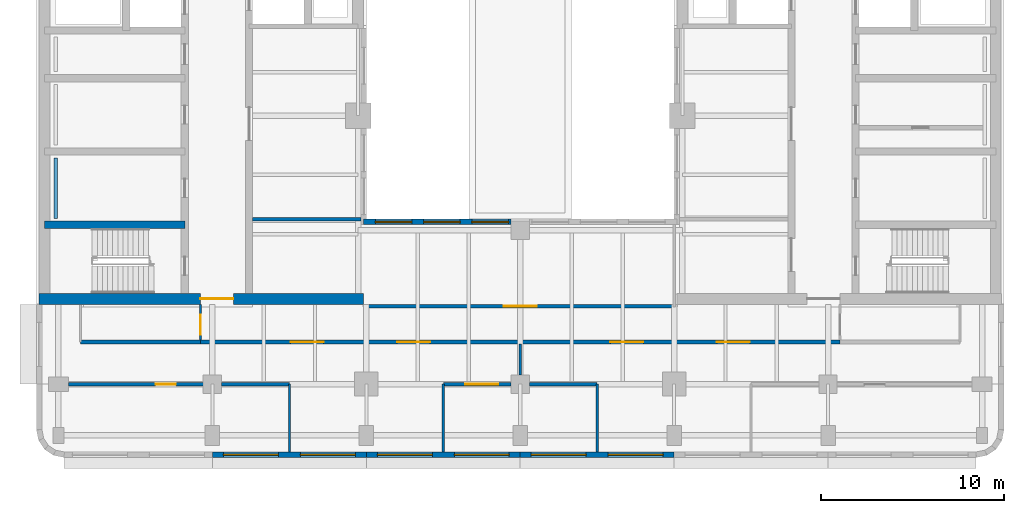
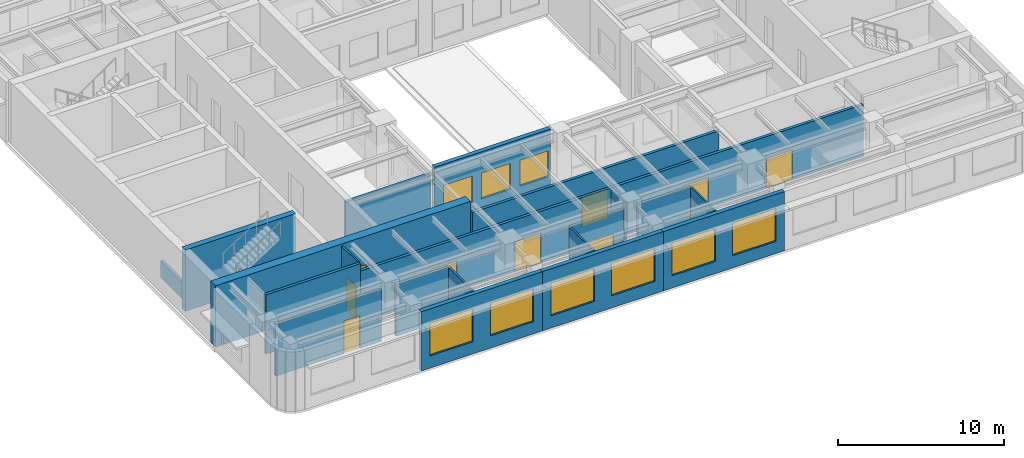
# One storey, part 3 of 11: 20 walls, 9 doors, 9 windows, 18 openings.
"""IFC4 building model written with IfcOpenShell, lengths in metres."""

import ifcopenshell
import ifcopenshell.guid

model = None  # the IFC model being written
_history = None  # IfcOwnerHistory: only IFC2X3 demands one
_inside = {}  # id of a spatial element -> (the spatial element, [elements in it])
_under = {}  # id of a project, library or spatial element -> (it, [spatial elements below it])
_declared = {}  # id of a project -> (the project, [libraries it declares])
_typed = {}  # id of a type object -> (the type object, [elements of that type])
_made_of = {}  # id of a material, layer set ... -> (it, [elements and type objects made of it])


def new_model(schema):
    """Start an empty IFC model of exactly this schema.

    Asked for "IFC4X3", IfcOpenShell would pick the latest addendum, in which some entities
    have other attributes; the version numbers below select the first issue.
    IFC2X3 requires an IfcOwnerHistory on every rooted entity: one is made here for all.
    """
    global model, _history
    if schema == "IFC4X3":
        model = ifcopenshell.file(schema_version=(4, 3, 0, 0))
    else:
        model = ifcopenshell.file(schema=schema)
    _inside.clear()
    _under.clear()
    _declared.clear()
    _typed.clear()
    _made_of.clear()
    _history = None
    if model.schema == "IFC2X3":
        org = make("IfcOrganization", Name="unknown")
        user = make(
            "IfcPersonAndOrganization",
            ThePerson=make("IfcPerson", FamilyName="unknown"),
            TheOrganization=org,
        )
        app = make(
            "IfcApplication",
            ApplicationDeveloper=org,
            Version="unknown",
            ApplicationFullName="unknown",
            ApplicationIdentifier="unknown",
        )
        _history = make(
            "IfcOwnerHistory",
            OwningUser=user,
            OwningApplication=app,
            ChangeAction="ADDED",
            CreationDate=0,
        )
    return model


def make(cls, **values):
    """One entity of the class cls with the attributes given. An attribute that is None is left unset."""
    return model.create_entity(
        cls, **{name: value for name, value in values.items() if value is not None}
    )


def rooted(cls, **values):
    """An entity with a GlobalId (a new one), such as an element, a storey or a relation."""
    return make(cls, GlobalId=ifcopenshell.guid.new(), OwnerHistory=_history, **values)


def si_unit(unit_type, name, prefix=None):
    """IfcSIUnit, for example si_unit("LENGTHUNIT", "METRE", prefix="MILLI")."""
    return make("IfcSIUnit", UnitType=unit_type, Prefix=prefix, Name=name)


def assignment(units):
    """IfcUnitAssignment: the units of a project."""
    return None if units is None else make("IfcUnitAssignment", Units=units)


def point(xyz):
    """IfcCartesianPoint."""
    return None if xyz is None else make("IfcCartesianPoint", Coordinates=xyz)


def direction(xyz):
    """IfcDirection."""
    return None if xyz is None else make("IfcDirection", DirectionRatios=xyz)


def frame(location, z_axis=None, x_axis=None):
    """IfcAxis2Placement3D, a coordinate frame: its origin and axes. An axis left out is left unset."""
    return make(
        "IfcAxis2Placement3D",
        Location=point(location),
        Axis=direction(z_axis),
        RefDirection=direction(x_axis),
    )


def frame_2d(location, x_axis=None):
    """IfcAxis2Placement2D, a coordinate frame in the plane: its origin and x axis."""
    return make(
        "IfcAxis2Placement2D", Location=point(location), RefDirection=direction(x_axis)
    )


def origin():
    """The frame at (0, 0, 0) with its axes left unset."""
    return frame((0.0, 0.0, 0.0))


def place(relative_to, where):
    """IfcLocalPlacement: puts the frame where relative to a parent placement (None: the world)."""
    return make(
        "IfcLocalPlacement", PlacementRelTo=relative_to, RelativePlacement=where
    )


def context(
    kind, dimensions, precision=None, world=None, true_north=None, identifier=None
):
    """IfcGeometricRepresentationContext, for example the 3D "Model" context."""
    return make(
        "IfcGeometricRepresentationContext",
        ContextIdentifier=identifier,
        ContextType=kind,
        CoordinateSpaceDimension=dimensions,
        Precision=precision,
        WorldCoordinateSystem=world,
        TrueNorth=true_north,
    )


def subcontext(parent, identifier, kind, view, scale=None):
    """IfcGeometricRepresentationSubContext, for example "Body" below "Model"."""
    return make(
        "IfcGeometricRepresentationSubContext",
        ContextIdentifier=identifier,
        ContextType=kind,
        ParentContext=parent,
        TargetScale=scale,
        TargetView=view,
    )


def project(units=None, contexts=None):
    """IfcProject with its units and contexts."""
    return rooted(
        "IfcProject",
        Name="project",
        RepresentationContexts=contexts,
        UnitsInContext=assignment(units),
    )


def spatial(cls, under=None, at=None, **own):
    """A site, building, storey or space (cls), placed at a placement, below another one or the project."""
    s = rooted(cls, ObjectPlacement=at, **own)
    if under is not None:
        _under.setdefault(under.id(), (under, []))[1].append(s)
    return s


def profile(cls, at=None, kind="AREA", **sizes):
    """A parametric profile (cls). Its sizes go by their IFC names, for example OverallWidth=200.0."""
    return make(cls, ProfileType=kind, Position=at, **sizes)


def rectangle(**sizes):
    """IfcRectangleProfileDef."""
    return profile("IfcRectangleProfileDef", **sizes)


def extrude(swept, where, along, depth):
    """IfcExtrudedAreaSolid: the profile swept, set in the frame where, extruded along a direction by depth."""
    return make(
        "IfcExtrudedAreaSolid",
        SweptArea=swept,
        Position=where,
        ExtrudedDirection=direction(along),
        Depth=depth,
    )


def shape(context_of_items, identifier, shape_type, items):
    """IfcShapeRepresentation: the items that make up one representation, for example the "Body"."""
    return make(
        "IfcShapeRepresentation",
        ContextOfItems=context_of_items,
        RepresentationIdentifier=identifier,
        RepresentationType=shape_type,
        Items=items,
    )


def material(Name=None, Category=None):
    """IfcMaterial."""
    return make("IfcMaterial", Name=Name, Category=Category)


def layer(
    of_material, thickness, ventilated=None, Name=None, Category=None, Priority=None
):
    """IfcMaterialLayer: one layer of a wall or slab, of a material (None: an air gap)."""
    return make(
        "IfcMaterialLayer",
        Material=of_material,
        LayerThickness=thickness,
        IsVentilated=ventilated,
        Name=Name,
        Category=Category,
        Priority=Priority,
    )


def layer_set(layers, Name=None):
    """IfcMaterialLayerSet."""
    return make("IfcMaterialLayerSet", MaterialLayers=layers, LayerSetName=Name)


def made_of(thing, what):
    """Note that an element or type object is made of a material, layer set ...; save() writes the relation."""
    if what is not None:
        _made_of.setdefault(what.id(), (what, []))[1].append(thing)
    return thing


def type_object(cls, material=None, **own):
    """A type object (cls), such as IfcWallType, which elements share."""
    return made_of(rooted(cls, **own), material)


def element(
    cls,
    number,
    at=None,
    inside=None,
    cuts=None,
    type_object=None,
    material=None,
    context=None,
    identifier="Body",
    shape_type=None,
    held_by="IfcProductDefinitionShape",
    body=None,
    shapes=None,
    **own,
):
    """One element of the class cls, such as IfcWall. Its Tag is "e" and its number.

    at: its placement. inside: the storey or other place that contains it. cuts: it is an
    opening in that element (IfcRelVoidsElement). A single representation is given by context,
    identifier, shape_type and body (its items); several are given by shapes. held_by: the class
    of the entity that holds the representations. save() writes the other relations.
    """
    e = rooted(cls, Tag="e%d" % number, ObjectPlacement=at, **own)
    if body is not None:
        shapes = [shape(context, identifier, shape_type, body)]
    if shapes is not None:
        e.Representation = make(held_by, Representations=shapes)
    if inside is not None:
        _inside.setdefault(inside.id(), (inside, []))[1].append(e)
    if cuts is not None:
        rooted(
            "IfcRelVoidsElement", RelatingBuildingElement=cuts, RelatedOpeningElement=e
        )
    if type_object is not None:
        _typed.setdefault(type_object.id(), (type_object, []))[1].append(e)
    return made_of(e, material)


def fill(opening, filler):
    """IfcRelFillsElement: the door or window that sits in an opening."""
    return rooted(
        "IfcRelFillsElement",
        RelatingOpeningElement=opening,
        RelatedBuildingElement=filler,
    )


def aggregate(whole, parts):
    """IfcRelAggregates: a whole, such as a stair, and the parts it consists of."""
    return rooted("IfcRelAggregates", RelatingObject=whole, RelatedObjects=parts)


def save(model, path):
    """Write the relations noted so far, then the file.

    IfcRelAggregates (storeys below a building ...), IfcRelContainedInSpatialStructure (elements
    in a storey), IfcRelDefinesByType, IfcRelAssociatesMaterial and IfcRelDeclares: one each for
    every whole, place, type object, material and project.
    """
    for whole, parts in _under.values():
        aggregate(whole, parts)
    for where, things in _inside.values():
        rooted(
            "IfcRelContainedInSpatialStructure",
            RelatedElements=things,
            RelatingStructure=where,
        )
    for kind, things in _typed.values():
        rooted("IfcRelDefinesByType", RelatedObjects=things, RelatingType=kind)
    for what, things in _made_of.values():
        rooted("IfcRelAssociatesMaterial", RelatedObjects=things, RelatingMaterial=what)
    for by, libraries in _declared.values():
        rooted("IfcRelDeclares", RelatingContext=by, RelatedDefinitions=libraries)
    model.write(path)


model = new_model("IFC4")

# Units and contexts
model_context = context("Model", 3, precision=1e-05, world=origin(), true_north=direction((0.0, 1.0)))
body_context = subcontext(model_context, "Body", "Model", "MODEL_VIEW")
ifc_project = project(units=[si_unit("LENGTHUNIT", "METRE"), si_unit("AREAUNIT", "SQUARE_METRE"), si_unit("VOLUMEUNIT", "CUBIC_METRE"), si_unit("PLANEANGLEUNIT", "RADIAN"), si_unit("MASSUNIT", "GRAM", prefix="KILO")], contexts=[model_context])

# Site, building, storey
site_placement = place(None, origin())
site = spatial("IfcSite", under=ifc_project, at=site_placement, CompositionType="ELEMENT")
building_placement = place(site_placement, origin())
building = spatial("IfcBuilding", under=site, at=building_placement, Name="Claustro Exchange Tower", CompositionType="ELEMENT")
storey_placement = place(building_placement, frame((0.0, 0.0, 254.699951171875)))
storey = spatial("IfcBuildingStorey", under=building, at=storey_placement, Name="L58", CompositionType="ELEMENT", Elevation=254.699951171875)

# Walls
ifc_material_1 = material(Name="Laminated glass in aluminium frame", Category="aluminium")
ifc_layer_1 = layer(ifc_material_1, 0.1201171875)
ifc_layer_set_1 = layer_set([ifc_layer_1], Name="Laminated glass in aluminium frame")
wall_type_1 = type_object("IfcWallType", Name="P2 120 glazed partition", PredefinedType="PARTITIONING", material=ifc_layer_set_1)
for number, where, z_axis, x_axis, name in (
    (1, (12.60009765625, 4.699951171875, 0.0), (0.0, 0.0, 1.0), (0.0, 1.0, 0.0), "Partition P2 L58"),
    (2, (21.0, 4.699951171875, 0.0), (0.0, 0.0, 1.0), (0.0, 1.0, 0.0), "Partition P2 L58"),
    (3, (29.39990234375, 4.699951171875, 0.0), (0.0, 0.0, 1.0), (0.0, 1.0, 0.0), "Partition P2 L58"),
):
    element("IfcWall", number, at=place(storey_placement, frame(where, z_axis=z_axis, x_axis=x_axis)), inside=storey, type_object=wall_type_1, Name=name, PredefinedType="PARTITIONING", context=body_context, shape_type="SweptSolid", body=[
        extrude(rectangle(XDim=3.699951171875, YDim=0.1201171875, at=frame_2d((1.85009765625, 0.0))), origin(), (0.0, 0.0, 1.0), 3.800048828125),
    ])
wall_1_placement = place(storey_placement, frame((25.199951171875, 8.89892578125, 0.0), z_axis=(0.0, 0.0, 1.0), x_axis=(0.0, 1.0, 0.0)))
element("IfcWall", 4, at=wall_1_placement, inside=storey, type_object=wall_type_1, Name="Partition P2 L58", PredefinedType="PARTITIONING", context=body_context, shape_type="SweptSolid", body=[
    extrude(rectangle(XDim=1.703125, YDim=0.1201171875, at=frame_2d((0.8515625, 0.0))), origin(), (0.0, 0.0, 1.0), 3.800048828125),
])

# Wall, opening, door
wall_2_placement = place(storey_placement, frame((7.75, 10.798095703125, 0.0), z_axis=(0.0, 0.0, 1.0), x_axis=(0.0, 1.0, 0.0)))
wall_2 = element("IfcWall", 5, at=wall_2_placement, inside=storey, type_object=wall_type_1, Name="Partition P2 L58", PredefinedType="PARTITIONING", context=body_context, shape_type="SweptSolid", body=[
    extrude(rectangle(XDim=1.953857421875, YDim=0.1201171875, at=frame_2d((0.97705078125, 0.0))), origin(), (0.0, 0.0, 1.0), 4.35009765625),
])
opening_1_placement = place(wall_2_placement, frame((0.302001953125, 0.0, 0.0)))
opening_1 = element("IfcOpeningElement", 6, at=opening_1_placement, cuts=wall_2, Name="Opening D8", PredefinedType="OPENING", context=body_context, shape_type="SweptSolid", body=[
    extrude(rectangle(XDim=1.10009765625, YDim=2.39990234375, at=frame_2d((0.550048828125, 1.199951171875))), frame((0.0, 0.070068359375, 0.0), z_axis=(0.0, -1.0, 0.0), x_axis=(1.0, 0.0, 0.0)), (0.0, 0.0, 1.0), 0.14013671875),
])
ifc_material_2 = material(Name="Timber door, walnut veneer", Category="wood")
door_type_1 = type_object("IfcDoorType", Name="D8 1100 x 2400 executive door", OperationType="SINGLE_SWING_LEFT", PredefinedType="DOOR", material=ifc_material_2)
door_1_placement = place(opening_1_placement, origin())
door_1 = element("IfcDoor", 7, at=door_1_placement, inside=storey, type_object=door_type_1, Name="Door D8 L58", OperationType="SINGLE_SWING_RIGHT", OverallHeight=2.39990234375, OverallWidth=1.10009765625, PredefinedType="DOOR", context=body_context, shape_type="SweptSolid", body=[
    extrude(rectangle(XDim=1.10009765625, YDim=2.39990234375, at=frame_2d((0.550048828125, 1.199951171875))), frame((0.0, 0.02490234375, 0.0), z_axis=(0.0, -1.0, 0.0), x_axis=(1.0, 0.0, 0.0)), (0.0, 0.0, 1.0), 0.050048828125),
])
fill(opening_1, door_1)

# Wall
ifc_material_3 = material(Name="Twin-skin gypsum board on steel studs, mineral wool", Category="steel")
ifc_layer_2 = layer(ifc_material_3, 0.199951171875)
ifc_layer_set_2 = layer_set([ifc_layer_2], Name="Twin-skin gypsum board on steel studs, mineral wool")
wall_type_2 = type_object("IfcWallType", Name="P3 200 acoustic partition", PredefinedType="PARTITIONING", material=ifc_layer_set_2)
wall_3_placement = place(storey_placement, frame((10.597900390625, 17.39990234375, 0.0), z_axis=(0.0, 0.0, 1.0), x_axis=(1.0, 0.0, 0.0)))
element("IfcWall", 8, at=wall_3_placement, inside=storey, type_object=wall_type_2, Name="Partition P3 L58", PredefinedType="PARTITIONING", context=body_context, shape_type="SweptSolid", body=[
    extrude(rectangle(XDim=5.904052734375, YDim=0.199951171875, at=frame_2d((2.9521484375, 0.0))), origin(), (0.0, 0.0, 1.0), 3.800048828125),
])

# Wall, opening, door
wall_4_placement = place(storey_placement, frame((0.549072265625, 8.39990234375, 0.0), z_axis=(0.0, 0.0, 1.0), x_axis=(1.0, 0.0, 0.0)))
wall_4 = element("IfcWall", 9, at=wall_4_placement, inside=storey, type_object=wall_type_2, Name="Partition P3 L58", PredefinedType="PARTITIONING", context=body_context, shape_type="SweptSolid", body=[
    extrude(rectangle(XDim=7.351806640625, YDim=0.199951171875, at=frame_2d((3.67578125, 0.0))), origin(), (0.0, 0.0, 1.0), 3.800048828125),
])
opening_2_placement = place(wall_4_placement, frame((4.7509765625, 0.0, 0.0)))
opening_2 = element("IfcOpeningElement", 10, at=opening_2_placement, cuts=wall_4, Name="Opening D8", PredefinedType="OPENING", context=body_context, shape_type="SweptSolid", body=[
    extrude(rectangle(XDim=1.10009765625, YDim=2.39990234375, at=frame_2d((0.550048828125, 1.199951171875))), frame((0.0, 0.10986328125, 0.0), z_axis=(0.0, -1.0, 0.0), x_axis=(1.0, 0.0, 0.0)), (0.0, 0.0, 1.0), 0.219970703125),
])
door_2_placement = place(opening_2_placement, frame((1.10009765625, 0.0, 0.0), z_axis=(0.0, 0.0, 1.0), x_axis=(-1.0, 0.0, 0.0)))
door_2 = element("IfcDoor", 11, at=door_2_placement, inside=storey, type_object=door_type_1, Name="Door D8 L58", OperationType="SINGLE_SWING_LEFT", OverallHeight=2.39990234375, OverallWidth=1.10009765625, PredefinedType="DOOR", context=body_context, shape_type="SweptSolid", body=[
    extrude(rectangle(XDim=1.10009765625, YDim=2.39990234375, at=frame_2d((0.550048828125, 1.199951171875))), frame((0.0, 0.02490234375, 0.0), z_axis=(0.0, -1.0, 0.0), x_axis=(1.0, 0.0, 0.0)), (0.0, 0.0, 1.0), 0.050048828125),
])
fill(opening_2, door_2)

# Wall
wall_5_placement = place(storey_placement, frame((8.89892578125, 8.39990234375, 0.0), z_axis=(0.0, 0.0, 1.0), x_axis=(1.0, 0.0, 0.0)))
element("IfcWall", 12, at=wall_5_placement, inside=storey, type_object=wall_type_2, Name="Partition P3 L58", PredefinedType="PARTITIONING", context=body_context, shape_type="SweptSolid", body=[
    extrude(rectangle(XDim=3.701171875, YDim=0.199951171875, at=frame_2d((1.8505859375, 0.0))), origin(), (0.0, 0.0, 1.0), 3.800048828125),
])

# Wall, opening, door
wall_6_placement = place(storey_placement, frame((21.0, 8.39990234375, 0.0), z_axis=(0.0, 0.0, 1.0), x_axis=(1.0, 0.0, 0.0)))
wall_6 = element("IfcWall", 13, at=wall_6_placement, inside=storey, type_object=wall_type_2, Name="Partition P3 L58", PredefinedType="PARTITIONING", context=body_context, shape_type="SweptSolid", body=[
    extrude(rectangle(XDim=3.700927734375, YDim=0.199951171875, at=frame_2d((1.8505859375, 0.0))), origin(), (0.0, 0.0, 1.0), 3.800048828125),
])
opening_3_placement = place(wall_6_placement, frame((1.199951171875, 0.0, 0.0)))
opening_3 = element("IfcOpeningElement", 14, at=opening_3_placement, cuts=wall_6, Name="Opening D2", PredefinedType="OPENING", context=body_context, shape_type="SweptSolid", body=[
    extrude(rectangle(XDim=1.800048828125, YDim=2.199951171875, at=frame_2d((0.89990234375, 1.10009765625))), frame((0.0, 0.10986328125, 0.0), z_axis=(0.0, -1.0, 0.0), x_axis=(1.0, 0.0, 0.0)), (0.0, 0.0, 1.0), 0.219970703125),
])
ifc_material_4 = material(Name="Timber door, oak veneer", Category="wood")
door_type_2 = type_object("IfcDoorType", Name="D2 1800 x 2200 double door", OperationType="DOUBLE_DOOR_SINGLE_SWING", PredefinedType="DOOR", material=ifc_material_4)
door_3_placement = place(opening_3_placement, frame((1.800048828125, 0.0, 0.0), z_axis=(0.0, 0.0, 1.0), x_axis=(-1.0, 0.0, 0.0)))
door_3 = element("IfcDoor", 15, at=door_3_placement, inside=storey, type_object=door_type_2, Name="Double door D2 L58", OperationType="DOUBLE_DOOR_SINGLE_SWING", OverallHeight=2.199951171875, OverallWidth=1.800048828125, PredefinedType="DOOR", context=body_context, shape_type="SweptSolid", body=[
    extrude(rectangle(XDim=1.800048828125, YDim=2.199951171875, at=frame_2d((0.89990234375, 1.10009765625))), frame((0.0, 0.02490234375, 0.0), z_axis=(0.0, -1.0, 0.0), x_axis=(1.0, 0.0, 0.0)), (0.0, 0.0, 1.0), 0.050048828125),
])
fill(opening_3, door_3)

# Wall
wall_7_placement = place(storey_placement, frame((25.698974609375, 8.39990234375, 0.0), z_axis=(0.0, 0.0, 1.0), x_axis=(1.0, 0.0, 0.0)))
element("IfcWall", 16, at=wall_7_placement, inside=storey, type_object=wall_type_2, Name="Partition P3 L58", PredefinedType="PARTITIONING", context=body_context, shape_type="SweptSolid", body=[
    extrude(rectangle(XDim=3.700927734375, YDim=0.199951171875, at=frame_2d((1.8505859375, 0.0))), origin(), (0.0, 0.0, 1.0), 3.800048828125),
])

# Wall, openings, doors
wall_8_placement = place(storey_placement, frame((7.748046875, 10.699951171875, 0.0), z_axis=(0.0, 0.0, 1.0), x_axis=(1.0, 0.0, 0.0)))
wall_8 = element("IfcWall", 17, at=wall_8_placement, inside=storey, type_object=wall_type_2, Name="Partition P3 L58", PredefinedType="PARTITIONING", context=body_context, shape_type="SweptSolid", body=[
    extrude(rectangle(XDim=34.904052734375, YDim=0.199951171875, at=frame_2d((17.4521484375, 0.0))), origin(), (0.0, 0.0, 1.0), 3.800048828125),
])
opening_4_placement = place(wall_8_placement, frame((4.918701171875, 0.0, 0.0)))
opening_4 = element("IfcOpeningElement", 18, at=opening_4_placement, cuts=wall_8, Name="Opening D2", PredefinedType="OPENING", context=body_context, shape_type="SweptSolid", body=[
    extrude(rectangle(XDim=1.800048828125, YDim=2.199951171875, at=frame_2d((0.89990234375, 1.10009765625))), frame((0.0, 0.10986328125, 0.0), z_axis=(0.0, -1.0, 0.0), x_axis=(1.0, 0.0, 0.0)), (0.0, 0.0, 1.0), 0.219970703125),
])
opening_5_placement = place(wall_8_placement, frame((10.7353515625, 0.0, 0.0)))
opening_5 = element("IfcOpeningElement", 19, at=opening_5_placement, cuts=wall_8, Name="Opening D2", PredefinedType="OPENING", context=body_context, shape_type="SweptSolid", body=[
    extrude(rectangle(XDim=1.800048828125, YDim=2.199951171875, at=frame_2d((0.89990234375, 1.10009765625))), frame((0.0, 0.10986328125, 0.0), z_axis=(0.0, -1.0, 0.0), x_axis=(1.0, 0.0, 0.0)), (0.0, 0.0, 1.0), 0.219970703125),
])
opening_6_placement = place(wall_8_placement, frame((22.36865234375, 0.0, 0.0)))
opening_6 = element("IfcOpeningElement", 20, at=opening_6_placement, cuts=wall_8, Name="Opening D2", PredefinedType="OPENING", context=body_context, shape_type="SweptSolid", body=[
    extrude(rectangle(XDim=1.800048828125, YDim=2.199951171875, at=frame_2d((0.89990234375, 1.10009765625))), frame((0.0, 0.10986328125, 0.0), z_axis=(0.0, -1.0, 0.0), x_axis=(1.0, 0.0, 0.0)), (0.0, 0.0, 1.0), 0.219970703125),
])
opening_7_placement = place(wall_8_placement, frame((28.185302734375, 0.0, 0.0)))
opening_7 = element("IfcOpeningElement", 21, at=opening_7_placement, cuts=wall_8, Name="Opening D2", PredefinedType="OPENING", context=body_context, shape_type="SweptSolid", body=[
    extrude(rectangle(XDim=1.800048828125, YDim=2.199951171875, at=frame_2d((0.89990234375, 1.10009765625))), frame((0.0, 0.10986328125, 0.0), z_axis=(0.0, -1.0, 0.0), x_axis=(1.0, 0.0, 0.0)), (0.0, 0.0, 1.0), 0.219970703125),
])
door_4_placement = place(opening_4_placement, origin())
door_4 = element("IfcDoor", 22, at=door_4_placement, inside=storey, type_object=door_type_2, Name="Double door D2 L58", OperationType="DOUBLE_DOOR_SINGLE_SWING", OverallHeight=2.199951171875, OverallWidth=1.800048828125, PredefinedType="DOOR", context=body_context, shape_type="SweptSolid", body=[
    extrude(rectangle(XDim=1.800048828125, YDim=2.199951171875, at=frame_2d((0.89990234375, 1.10009765625))), frame((0.0, 0.02490234375, 0.0), z_axis=(0.0, -1.0, 0.0), x_axis=(1.0, 0.0, 0.0)), (0.0, 0.0, 1.0), 0.050048828125),
])
fill(opening_4, door_4)
door_5_placement = place(opening_5_placement, origin())
door_5 = element("IfcDoor", 23, at=door_5_placement, inside=storey, type_object=door_type_2, Name="Double door D2 L58", OperationType="DOUBLE_DOOR_SINGLE_SWING", OverallHeight=2.199951171875, OverallWidth=1.800048828125, PredefinedType="DOOR", context=body_context, shape_type="SweptSolid", body=[
    extrude(rectangle(XDim=1.800048828125, YDim=2.199951171875, at=frame_2d((0.89990234375, 1.10009765625))), frame((0.0, 0.02490234375, 0.0), z_axis=(0.0, -1.0, 0.0), x_axis=(1.0, 0.0, 0.0)), (0.0, 0.0, 1.0), 0.050048828125),
])
fill(opening_5, door_5)
door_6_placement = place(opening_6_placement, frame((1.800048828125, 0.0, 0.0), z_axis=(0.0, 0.0, 1.0), x_axis=(-1.0, 0.0, 0.0)))
door_6 = element("IfcDoor", 24, at=door_6_placement, inside=storey, type_object=door_type_2, Name="Double door D2 L58", OperationType="DOUBLE_DOOR_SINGLE_SWING", OverallHeight=2.199951171875, OverallWidth=1.800048828125, PredefinedType="DOOR", context=body_context, shape_type="SweptSolid", body=[
    extrude(rectangle(XDim=1.800048828125, YDim=2.199951171875, at=frame_2d((0.89990234375, 1.10009765625))), frame((0.0, 0.02490234375, 0.0), z_axis=(0.0, -1.0, 0.0), x_axis=(1.0, 0.0, 0.0)), (0.0, 0.0, 1.0), 0.050048828125),
])
fill(opening_6, door_6)
door_7_placement = place(opening_7_placement, frame((1.800048828125, 0.0, 0.0), z_axis=(0.0, 0.0, 1.0), x_axis=(-1.0, 0.0, 0.0)))
door_7 = element("IfcDoor", 25, at=door_7_placement, inside=storey, type_object=door_type_2, Name="Double door D2 L58", OperationType="DOUBLE_DOOR_SINGLE_SWING", OverallHeight=2.199951171875, OverallWidth=1.800048828125, PredefinedType="DOOR", context=body_context, shape_type="SweptSolid", body=[
    extrude(rectangle(XDim=1.800048828125, YDim=2.199951171875, at=frame_2d((0.89990234375, 1.10009765625))), frame((0.0, 0.02490234375, 0.0), z_axis=(0.0, -1.0, 0.0), x_axis=(1.0, 0.0, 0.0)), (0.0, 0.0, 1.0), 0.050048828125),
])
fill(opening_7, door_7)

# Wall
wall_9_placement = place(storey_placement, frame((1.199951171875, 10.699951171875, 0.0), z_axis=(0.0, 0.0, 1.0), x_axis=(1.0, 0.0, 0.0)))
element("IfcWall", 26, at=wall_9_placement, inside=storey, type_object=wall_type_2, Name="Partition P3 L58", PredefinedType="PARTITIONING", context=body_context, shape_type="SweptSolid", body=[
    extrude(rectangle(XDim=6.552001953125, YDim=0.199951171875, at=frame_2d((3.27587890625, 0.0))), origin(), (0.0, 0.0, 1.0), 4.35009765625),
])

# Wall, opening, door
wall_10_placement = place(storey_placement, frame((16.64990234375, 12.64990234375, 0.0), z_axis=(0.0, 0.0, 1.0), x_axis=(1.0, 0.0, 0.0)))
wall_10 = element("IfcWall", 27, at=wall_10_placement, inside=storey, type_object=wall_type_2, Name="Partition P3 L58", PredefinedType="PARTITIONING", context=body_context, shape_type="SweptSolid", body=[
    extrude(rectangle(XDim=17.10009765625, YDim=0.199951171875, at=frame_2d((8.550048828125, 0.0))), origin(), (0.0, 0.0, 1.0), 3.800048828125),
])
opening_8_placement = place(wall_10_placement, frame((7.650146484375, 0.0, 0.0)))
opening_8 = element("IfcOpeningElement", 28, at=opening_8_placement, cuts=wall_10, Name="Opening D2", PredefinedType="OPENING", context=body_context, shape_type="SweptSolid", body=[
    extrude(rectangle(XDim=1.800048828125, YDim=2.199951171875, at=frame_2d((0.89990234375, 1.10009765625))), frame((0.0, 0.10986328125, 0.0), z_axis=(0.0, -1.0, 0.0), x_axis=(1.0, 0.0, 0.0)), (0.0, 0.0, 1.0), 0.219970703125),
])
door_8_placement = place(opening_8_placement, frame((1.800048828125, 0.0, 0.0), z_axis=(0.0, 0.0, 1.0), x_axis=(-1.0, 0.0, 0.0)))
door_8 = element("IfcDoor", 29, at=door_8_placement, inside=storey, type_object=door_type_2, Name="Double door D2 L58", OperationType="DOUBLE_DOOR_SINGLE_SWING", OverallHeight=2.199951171875, OverallWidth=1.800048828125, PredefinedType="DOOR", context=body_context, shape_type="SweptSolid", body=[
    extrude(rectangle(XDim=1.800048828125, YDim=2.199951171875, at=frame_2d((0.89990234375, 1.10009765625))), frame((0.0, 0.02490234375, 0.0), z_axis=(0.0, -1.0, 0.0), x_axis=(1.0, 0.0, 0.0)), (0.0, 0.0, 1.0), 0.050048828125),
])
fill(opening_8, door_8)

# Wall, openings, windows
ifc_material_5 = material(Name="Concrete HA-40 (C40/50), precast, white cement, acid-etched", Category="concrete")
ifc_layer_3 = layer(ifc_material_5, 0.300048828125)
ifc_layer_set_3 = layer_set([ifc_layer_3], Name="Concrete HA-40 (C40/50), precast, white cement, acid-etched")
wall_type_3 = type_object("IfcWallType", Name="PC1 300 precast concrete pier panel", PredefinedType="SOLIDWALL", material=ifc_layer_set_3)
wall_11_placement = place(storey_placement, frame((33.60009765625, 4.550048828125, 0.0), z_axis=(0.0, 0.0, 1.0), x_axis=(-1.0, 0.0, 0.0)))
wall_11 = element("IfcWall", 30, at=wall_11_placement, inside=storey, type_object=wall_type_3, Name="Precast pier panel PC1 L58", PredefinedType="SOLIDWALL", context=body_context, shape_type="SweptSolid", body=[
    extrude(rectangle(XDim=8.400146484375, YDim=0.300048828125, at=frame_2d((4.2001953125, 0.0))), origin(), (0.0, 0.0, 1.0), 4.35009765625),
])
opening_9_placement = place(wall_11_placement, frame((0.60009765625, 0.0, 0.89990234375)))
opening_9 = element("IfcOpeningElement", 31, at=opening_9_placement, cuts=wall_11, Name="Opening W3", PredefinedType="OPENING", context=body_context, shape_type="SweptSolid", body=[
    extrude(rectangle(XDim=3.0, YDim=2.39990234375, at=frame_2d((1.5, 1.199951171875))), frame((0.0, 0.159912109375, 0.0), z_axis=(0.0, -1.0, 0.0), x_axis=(1.0, 0.0, 0.0)), (0.0, 0.0, 1.0), 0.320068359375),
])
opening_10_placement = place(wall_11_placement, frame((4.800048828125, 0.0, 0.89990234375)))
opening_10 = element("IfcOpeningElement", 32, at=opening_10_placement, cuts=wall_11, Name="Opening W3", PredefinedType="OPENING", context=body_context, shape_type="SweptSolid", body=[
    extrude(rectangle(XDim=3.0, YDim=2.39990234375, at=frame_2d((1.5, 1.199951171875))), frame((0.0, 0.159912109375, 0.0), z_axis=(0.0, -1.0, 0.0), x_axis=(1.0, 0.0, 0.0)), (0.0, 0.0, 1.0), 0.320068359375),
])
ifc_material_6 = material(Name="Aluminium frame, clear double glazing", Category="aluminium")
window_type_1 = type_object("IfcWindowType", Name="W3 3000 x 2400 window", PartitioningType="SINGLE_PANEL", PredefinedType="WINDOW", material=ifc_material_6)
window_1_placement = place(opening_9_placement, origin())
window_1 = element("IfcWindow", 33, at=window_1_placement, inside=storey, type_object=window_type_1, Name="Window W3 L58", OverallHeight=2.39990234375, OverallWidth=3.0, PartitioningType="SINGLE_PANEL", PredefinedType="WINDOW", context=body_context, shape_type="SweptSolid", body=[
    extrude(rectangle(XDim=3.0, YDim=2.39990234375, at=frame_2d((1.5, 1.199951171875))), frame((0.0, 0.030029296875, 0.0), z_axis=(0.0, -1.0, 0.0), x_axis=(1.0, 0.0, 0.0)), (0.0, 0.0, 1.0), 0.06005859375),
])
fill(opening_9, window_1)
window_2_placement = place(opening_10_placement, origin())
window_2 = element("IfcWindow", 34, at=window_2_placement, inside=storey, type_object=window_type_1, Name="Window W3 L58", OverallHeight=2.39990234375, OverallWidth=3.0, PartitioningType="SINGLE_PANEL", PredefinedType="WINDOW", context=body_context, shape_type="SweptSolid", body=[
    extrude(rectangle(XDim=3.0, YDim=2.39990234375, at=frame_2d((1.5, 1.199951171875))), frame((0.0, 0.030029296875, 0.0), z_axis=(0.0, -1.0, 0.0), x_axis=(1.0, 0.0, 0.0)), (0.0, 0.0, 1.0), 0.06005859375),
])
fill(opening_10, window_2)

wall_12_placement = place(storey_placement, frame((25.199951171875, 4.550048828125, 0.0), z_axis=(0.0, 0.0, 1.0), x_axis=(-1.0, 0.0, 0.0)))
wall_12 = element("IfcWall", 35, at=wall_12_placement, inside=storey, type_object=wall_type_3, Name="Precast pier panel PC1 L58", PredefinedType="SOLIDWALL", context=body_context, shape_type="SweptSolid", body=[
    extrude(rectangle(XDim=8.39990234375, YDim=0.300048828125, at=frame_2d((4.199951171875, 0.0))), origin(), (0.0, 0.0, 1.0), 4.35009765625),
])
opening_11_placement = place(wall_12_placement, frame((0.60009765625, 0.0, 0.89990234375)))
opening_11 = element("IfcOpeningElement", 36, at=opening_11_placement, cuts=wall_12, Name="Opening W3", PredefinedType="OPENING", context=body_context, shape_type="SweptSolid", body=[
    extrude(rectangle(XDim=3.0, YDim=2.39990234375, at=frame_2d((1.5, 1.199951171875))), frame((0.0, 0.159912109375, 0.0), z_axis=(0.0, -1.0, 0.0), x_axis=(1.0, 0.0, 0.0)), (0.0, 0.0, 1.0), 0.320068359375),
])
opening_12_placement = place(wall_12_placement, frame((4.800048828125, 0.0, 0.89990234375)))
opening_12 = element("IfcOpeningElement", 37, at=opening_12_placement, cuts=wall_12, Name="Opening W3", PredefinedType="OPENING", context=body_context, shape_type="SweptSolid", body=[
    extrude(rectangle(XDim=3.0, YDim=2.39990234375, at=frame_2d((1.5, 1.199951171875))), frame((0.0, 0.159912109375, 0.0), z_axis=(0.0, -1.0, 0.0), x_axis=(1.0, 0.0, 0.0)), (0.0, 0.0, 1.0), 0.320068359375),
])
window_3_placement = place(opening_11_placement, origin())
window_3 = element("IfcWindow", 38, at=window_3_placement, inside=storey, type_object=window_type_1, Name="Window W3 L58", OverallHeight=2.39990234375, OverallWidth=3.0, PartitioningType="SINGLE_PANEL", PredefinedType="WINDOW", context=body_context, shape_type="SweptSolid", body=[
    extrude(rectangle(XDim=3.0, YDim=2.39990234375, at=frame_2d((1.5, 1.199951171875))), frame((0.0, 0.030029296875, 0.0), z_axis=(0.0, -1.0, 0.0), x_axis=(1.0, 0.0, 0.0)), (0.0, 0.0, 1.0), 0.06005859375),
])
fill(opening_11, window_3)
window_4_placement = place(opening_12_placement, origin())
window_4 = element("IfcWindow", 39, at=window_4_placement, inside=storey, type_object=window_type_1, Name="Window W3 L58", OverallHeight=2.39990234375, OverallWidth=3.0, PartitioningType="SINGLE_PANEL", PredefinedType="WINDOW", context=body_context, shape_type="SweptSolid", body=[
    extrude(rectangle(XDim=3.0, YDim=2.39990234375, at=frame_2d((1.5, 1.199951171875))), frame((0.0, 0.030029296875, 0.0), z_axis=(0.0, -1.0, 0.0), x_axis=(1.0, 0.0, 0.0)), (0.0, 0.0, 1.0), 0.06005859375),
])
fill(opening_12, window_4)

wall_13_placement = place(storey_placement, frame((16.800048828125, 4.550048828125, 0.0), z_axis=(0.0, 0.0, 1.0), x_axis=(-1.0, 0.0, 0.0)))
wall_13 = element("IfcWall", 40, at=wall_13_placement, inside=storey, type_object=wall_type_3, Name="Precast pier panel PC1 L58", PredefinedType="SOLIDWALL", context=body_context, shape_type="SweptSolid", body=[
    extrude(rectangle(XDim=8.400146484375, YDim=0.300048828125, at=frame_2d((4.2001953125, 0.0))), origin(), (0.0, 0.0, 1.0), 4.35009765625),
])
opening_13_placement = place(wall_13_placement, frame((0.60009765625, 0.0, 0.89990234375)))
opening_13 = element("IfcOpeningElement", 41, at=opening_13_placement, cuts=wall_13, Name="Opening W3", PredefinedType="OPENING", context=body_context, shape_type="SweptSolid", body=[
    extrude(rectangle(XDim=3.0, YDim=2.39990234375, at=frame_2d((1.5, 1.199951171875))), frame((0.0, 0.159912109375, 0.0), z_axis=(0.0, -1.0, 0.0), x_axis=(1.0, 0.0, 0.0)), (0.0, 0.0, 1.0), 0.320068359375),
])
opening_14_placement = place(wall_13_placement, frame((4.800048828125, 0.0, 0.89990234375)))
opening_14 = element("IfcOpeningElement", 42, at=opening_14_placement, cuts=wall_13, Name="Opening W3", PredefinedType="OPENING", context=body_context, shape_type="SweptSolid", body=[
    extrude(rectangle(XDim=3.0, YDim=2.39990234375, at=frame_2d((1.5, 1.199951171875))), frame((0.0, 0.159912109375, 0.0), z_axis=(0.0, -1.0, 0.0), x_axis=(1.0, 0.0, 0.0)), (0.0, 0.0, 1.0), 0.320068359375),
])
window_5_placement = place(opening_13_placement, origin())
window_5 = element("IfcWindow", 43, at=window_5_placement, inside=storey, type_object=window_type_1, Name="Window W3 L58", OverallHeight=2.39990234375, OverallWidth=3.0, PartitioningType="SINGLE_PANEL", PredefinedType="WINDOW", context=body_context, shape_type="SweptSolid", body=[
    extrude(rectangle(XDim=3.0, YDim=2.39990234375, at=frame_2d((1.5, 1.199951171875))), frame((0.0, 0.030029296875, 0.0), z_axis=(0.0, -1.0, 0.0), x_axis=(1.0, 0.0, 0.0)), (0.0, 0.0, 1.0), 0.06005859375),
])
fill(opening_13, window_5)
window_6_placement = place(opening_14_placement, origin())
window_6 = element("IfcWindow", 44, at=window_6_placement, inside=storey, type_object=window_type_1, Name="Window W3 L58", OverallHeight=2.39990234375, OverallWidth=3.0, PartitioningType="SINGLE_PANEL", PredefinedType="WINDOW", context=body_context, shape_type="SweptSolid", body=[
    extrude(rectangle(XDim=3.0, YDim=2.39990234375, at=frame_2d((1.5, 1.199951171875))), frame((0.0, 0.030029296875, 0.0), z_axis=(0.0, -1.0, 0.0), x_axis=(1.0, 0.0, 0.0)), (0.0, 0.0, 1.0), 0.06005859375),
])
fill(opening_14, window_6)

wall_14_placement = place(storey_placement, frame((16.64990234375, 17.25, 0.0), z_axis=(0.0, 0.0, 1.0), x_axis=(1.0, 0.0, 0.0)))
wall_14 = element("IfcWall", 45, at=wall_14_placement, inside=storey, type_object=wall_type_3, Name="Precast pier panel PC1 L58", PredefinedType="SOLIDWALL", context=body_context, shape_type="SweptSolid", body=[
    extrude(rectangle(XDim=8.050048828125, YDim=0.300048828125, at=frame_2d((4.02490234375, 0.0))), origin(), (0.0, 0.0, 1.0), 4.35009765625),
])
opening_15_placement = place(wall_14_placement, frame((0.637451171875, 0.0, 0.89990234375)))
opening_15 = element("IfcOpeningElement", 46, at=opening_15_placement, cuts=wall_14, Name="Opening W4", PredefinedType="OPENING", context=body_context, shape_type="SweptSolid", body=[
    extrude(rectangle(XDim=2.0, YDim=1.89990234375, at=frame_2d((1.0, 0.949951171875))), frame((0.0, 0.159912109375, 0.0), z_axis=(0.0, -1.0, 0.0), x_axis=(1.0, 0.0, 0.0)), (0.0, 0.0, 1.0), 0.320068359375),
])
opening_16_placement = place(wall_14_placement, frame((3.27490234375, 0.0, 0.89990234375)))
opening_16 = element("IfcOpeningElement", 47, at=opening_16_placement, cuts=wall_14, Name="Opening W4", PredefinedType="OPENING", context=body_context, shape_type="SweptSolid", body=[
    extrude(rectangle(XDim=2.0, YDim=1.89990234375, at=frame_2d((1.0, 0.949951171875))), frame((0.0, 0.159912109375, 0.0), z_axis=(0.0, -1.0, 0.0), x_axis=(1.0, 0.0, 0.0)), (0.0, 0.0, 1.0), 0.320068359375),
])
opening_17_placement = place(wall_14_placement, frame((5.91259765625, 0.0, 0.89990234375)))
opening_17 = element("IfcOpeningElement", 48, at=opening_17_placement, cuts=wall_14, Name="Opening W4", PredefinedType="OPENING", context=body_context, shape_type="SweptSolid", body=[
    extrude(rectangle(XDim=2.0, YDim=1.89990234375, at=frame_2d((1.0, 0.949951171875))), frame((0.0, 0.159912109375, 0.0), z_axis=(0.0, -1.0, 0.0), x_axis=(1.0, 0.0, 0.0)), (0.0, 0.0, 1.0), 0.320068359375),
])
ifc_material_7 = material(Name="Aluminium frame, clear double glazing", Category="aluminium")
window_type_2 = type_object("IfcWindowType", Name="W4 2000 x 1900 light well window", PartitioningType="SINGLE_PANEL", PredefinedType="WINDOW", material=ifc_material_7)
window_7_placement = place(opening_15_placement, origin())
window_7 = element("IfcWindow", 49, at=window_7_placement, inside=storey, type_object=window_type_2, Name="Window W4 L58", OverallHeight=1.89990234375, OverallWidth=2.0, PartitioningType="SINGLE_PANEL", PredefinedType="WINDOW", context=body_context, shape_type="SweptSolid", body=[
    extrude(rectangle(XDim=2.0, YDim=1.89990234375, at=frame_2d((1.0, 0.949951171875))), frame((0.0, 0.030029296875, 0.0), z_axis=(0.0, -1.0, 0.0), x_axis=(1.0, 0.0, 0.0)), (0.0, 0.0, 1.0), 0.06005859375),
])
fill(opening_15, window_7)
window_8_placement = place(opening_16_placement, origin())
window_8 = element("IfcWindow", 50, at=window_8_placement, inside=storey, type_object=window_type_2, Name="Window W4 L58", OverallHeight=1.89990234375, OverallWidth=2.0, PartitioningType="SINGLE_PANEL", PredefinedType="WINDOW", context=body_context, shape_type="SweptSolid", body=[
    extrude(rectangle(XDim=2.0, YDim=1.89990234375, at=frame_2d((1.0, 0.949951171875))), frame((0.0, 0.030029296875, 0.0), z_axis=(0.0, -1.0, 0.0), x_axis=(1.0, 0.0, 0.0)), (0.0, 0.0, 1.0), 0.06005859375),
])
fill(opening_16, window_8)
window_9_placement = place(opening_17_placement, origin())
window_9 = element("IfcWindow", 51, at=window_9_placement, inside=storey, type_object=window_type_2, Name="Window W4 L58", OverallHeight=1.89990234375, OverallWidth=2.0, PartitioningType="SINGLE_PANEL", PredefinedType="WINDOW", context=body_context, shape_type="SweptSolid", body=[
    extrude(rectangle(XDim=2.0, YDim=1.89990234375, at=frame_2d((1.0, 0.949951171875))), frame((0.0, 0.030029296875, 0.0), z_axis=(0.0, -1.0, 0.0), x_axis=(1.0, 0.0, 0.0)), (0.0, 0.0, 1.0), 0.06005859375),
])
fill(opening_17, window_9)

# Wall
ifc_material_8 = material(Name="Gypsum board on steel studs, tiled", Category="steel")
ifc_layer_4 = layer(ifc_material_8, 0.199951171875)
ifc_layer_set_4 = layer_set([ifc_layer_4], Name="Gypsum board on steel studs, tiled")
wall_type_4 = type_object("IfcWallType", Name="PW1 200 WC duct wall", PredefinedType="PLUMBINGWALL", material=ifc_layer_set_4)
wall_15_placement = place(storey_placement, frame((-0.14990234375, 17.449951171875, 0.0), z_axis=(0.0, 0.0, 1.0), x_axis=(0.0, 1.0, 0.0)))
element("IfcWall", 52, at=wall_15_placement, inside=storey, type_object=wall_type_4, Name="WC duct wall PW1 L58", PredefinedType="PLUMBINGWALL", context=body_context, shape_type="SweptSolid", body=[
    extrude(rectangle(XDim=3.300048828125, YDim=0.199951171875, at=frame_2d((1.64990234375, 0.0))), origin(), (0.0, 0.0, 1.0), 1.199951171875),
])

# Wall, opening, door
ifc_material_9 = material(Name="Concrete HA-50 (C50/60)", Category="concrete")
ifc_layer_5 = layer(ifc_material_9, 0.60009765625)
ifc_layer_set_5 = layer_set([ifc_layer_5], Name="Concrete HA-50 (C50/60)")
wall_type_5 = type_object("IfcWallType", Name="SW3 600 core shear wall", PredefinedType="SHEAR", material=ifc_layer_set_5)
wall_16_placement = place(storey_placement, frame((-1.050048828125, 13.050048828125, 0.0), z_axis=(0.0, 0.0, 1.0), x_axis=(1.0, 0.0, 0.0)))
wall_16 = element("IfcWall", 53, at=wall_16_placement, inside=storey, type_object=wall_type_5, Name="Core wall SW3 W core S face L58", PredefinedType="SHEAR", context=body_context, shape_type="SweptSolid", body=[
    extrude(rectangle(XDim=17.699951171875, YDim=0.60009765625, at=frame_2d((8.85009765625, 0.0))), origin(), (0.0, 0.0, 1.0), 4.5),
])
opening_18_placement = place(wall_16_placement, frame((8.800048828125, 0.0, 0.0)))
opening_18 = element("IfcOpeningElement", 54, at=opening_18_placement, cuts=wall_16, Name="Opening D3", PredefinedType="OPENING", context=body_context, shape_type="SweptSolid", body=[
    extrude(rectangle(XDim=1.800048828125, YDim=2.39990234375, at=frame_2d((0.89990234375, 1.199951171875))), frame((0.0, 0.31005859375, 0.0), z_axis=(0.0, -1.0, 0.0), x_axis=(1.0, 0.0, 0.0)), (0.0, 0.0, 1.0), 0.6201171875),
])
ifc_material_10 = material(Name="Steel fire door, painted", Category="steel")
door_type_3 = type_object("IfcDoorType", Name="D3 1800 x 2400 fire-rated lobby double door", OperationType="DOUBLE_DOOR_SINGLE_SWING", PredefinedType="DOOR", material=ifc_material_10)
door_9_placement = place(opening_18_placement, origin())
door_9 = element("IfcDoor", 55, at=door_9_placement, inside=storey, type_object=door_type_3, Name="Lift lobby door D3 L58", OperationType="DOUBLE_DOOR_SINGLE_SWING", OverallHeight=2.39990234375, OverallWidth=1.800048828125, PredefinedType="DOOR", context=body_context, shape_type="SweptSolid", body=[
    extrude(rectangle(XDim=1.800048828125, YDim=2.39990234375, at=frame_2d((0.89990234375, 1.199951171875))), frame((0.0, 0.02490234375, 0.0), z_axis=(0.0, -1.0, 0.0), x_axis=(1.0, 0.0, 0.0)), (0.0, 0.0, 1.0), 0.050048828125),
])
fill(opening_18, door_9)

# Wall
ifc_material_11 = material(Name="Concrete HA-50 (C50/60)", Category="concrete")
ifc_layer_6 = layer(ifc_material_11, 0.39990234375)
ifc_layer_set_6 = layer_set([ifc_layer_6], Name="Concrete HA-50 (C50/60)")
wall_type_6 = type_object("IfcWallType", Name="SW4 400 internal core wall", PredefinedType="SHEAR", material=ifc_layer_set_6)
wall_17_placement = place(storey_placement, frame((-0.75, 17.10009765625, 0.0), z_axis=(0.0, 0.0, 1.0), x_axis=(1.0, 0.0, 0.0)))
element("IfcWall", 56, at=wall_17_placement, inside=storey, type_object=wall_type_6, Name="Internal core wall SW4 W core L58", PredefinedType="SHEAR", context=body_context, shape_type="SweptSolid", body=[
    extrude(rectangle(XDim=7.64990234375, YDim=0.39990234375, at=frame_2d((3.824951171875, 0.0))), origin(), (0.0, 0.0, 1.0), 4.5),
])

save(model, "model.ifc")
